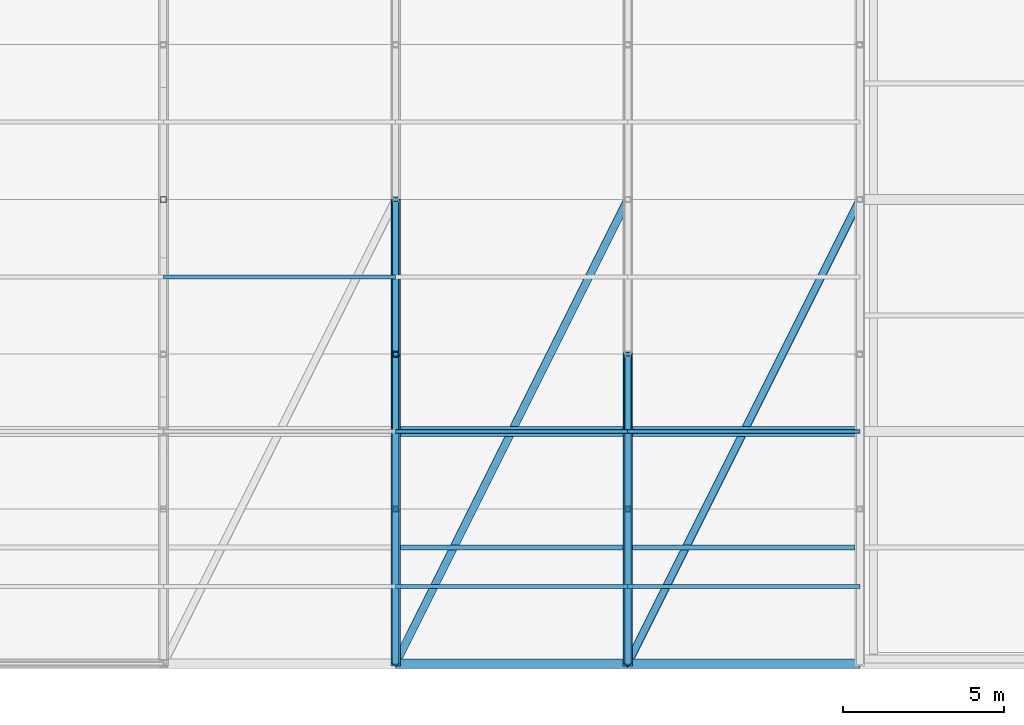
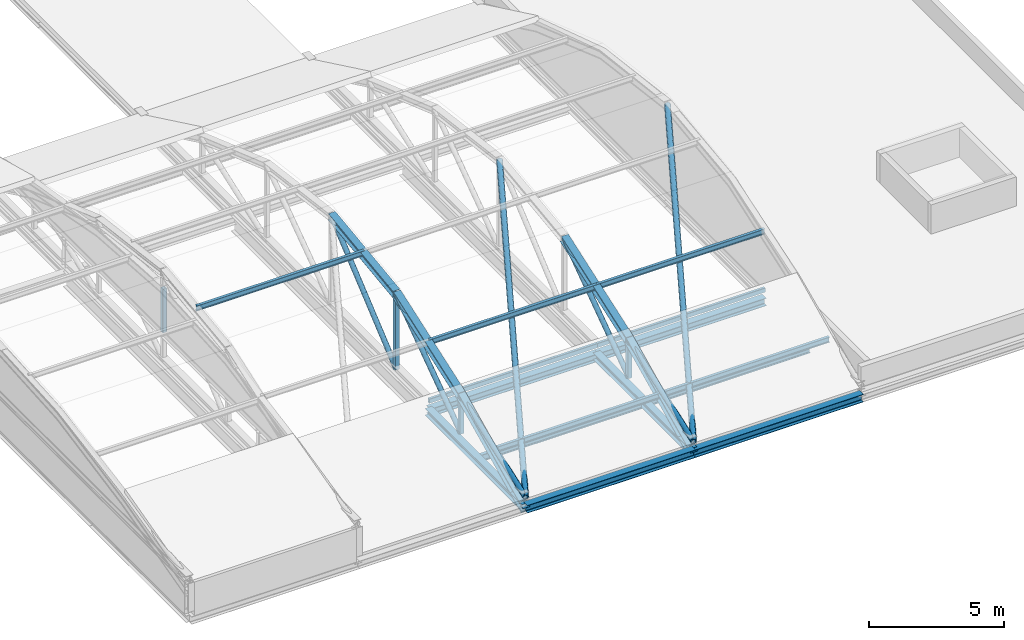
# One storey, part 19 of 103: 18 members, 13 beams.
"""IFC4 building model written with IfcOpenShell, lengths in metres."""

from ifc_helpers import new_model, si_unit, direction, frame, origin, origin_2d, place, context, subcontext, project, spatial, hollow_rectangle, hollow_circle, i_section, extrude, material, material_profile, profile_set, type_object, element, save


model = new_model("IFC4")

# Units and contexts
model_context = context("Model", 3, precision=1e-05, world=origin(), true_north=direction((0.0, 1.0)))
body_context = subcontext(model_context, "Body", "Model", "MODEL_VIEW")
ifc_project = project(units=[si_unit("LENGTHUNIT", "METRE"), si_unit("AREAUNIT", "SQUARE_METRE"), si_unit("VOLUMEUNIT", "CUBIC_METRE"), si_unit("PLANEANGLEUNIT", "RADIAN"), si_unit("MASSUNIT", "GRAM", prefix="KILO")], contexts=[model_context])

# Site, building, storey
site_placement = place(None, origin())
site = spatial("IfcSite", under=ifc_project, at=site_placement, CompositionType="ELEMENT")
building_placement = place(site_placement, origin())
building = spatial("IfcBuilding", under=site, at=building_placement, Name="Zlatovets Crest Museum", CompositionType="ELEMENT")
storey_placement = place(building_placement, frame((0.0, 0.0, 12.89990234375)))
storey = spatial("IfcBuildingStorey", under=building, at=storey_placement, Name="L03", CompositionType="ELEMENT", Elevation=12.89990234375)

# Beams
ifc_material = material(Name="Structural steel S355J2", Category="steel")
ifc_material_profile_1 = material_profile(ifc_material, i_section(OverallWidth=0.300048828125, OverallDepth=0.35009765625, WebThickness=0.010009765625, FlangeThickness=0.017578125, FilletRadius=0.027099609375, at=origin_2d()), Name="HEA 360")
ifc_profile_set_1 = profile_set([ifc_material_profile_1], Name="Structural steel S355J2")
beam_type_1 = type_object("IfcBeamType", Name="Beam_B-03", PredefinedType="BEAM", material=ifc_profile_set_1)
beam_1_placement = place(storey_placement, frame((14.39990234375, 0.0, -0.39501953125), z_axis=(1.0, 0.0, 0.0), x_axis=(0.0, 1.0, 0.0)))
element("IfcBeam", 1, at=beam_1_placement, inside=storey, type_object=beam_type_1, Name="V3 L03 Primary Girder B-03", PredefinedType="BEAM", context=body_context, shape_type="SweptSolid", body=[
    extrude(i_section(OverallWidth=0.300048828125, OverallDepth=0.35009765625, WebThickness=0.010009765625, FlangeThickness=0.017578125, FilletRadius=0.027099609375, at=origin_2d()), origin(), (0.0, 0.0, 1.0), 7.2001953125),
])
beam_2_placement = place(storey_placement, frame((21.60009765625, 0.0, -0.39501953125), z_axis=(1.0, 0.0, 0.0), x_axis=(0.0, 1.0, 0.0)))
element("IfcBeam", 2, at=beam_2_placement, inside=storey, type_object=beam_type_1, Name="V3 L03 Primary Girder B-03", PredefinedType="BEAM", context=body_context, shape_type="SweptSolid", body=[
    extrude(i_section(OverallWidth=0.300048828125, OverallDepth=0.35009765625, WebThickness=0.010009765625, FlangeThickness=0.017578125, FilletRadius=0.027099609375, at=origin_2d()), origin(), (0.0, 0.0, 1.0), 7.199951171875),
])
beam_3_placement = place(storey_placement, frame((14.39990234375, 7.199951171875, -0.39501953125), z_axis=(1.0, 0.0, 0.0), x_axis=(0.0, 1.0, 0.0)))
element("IfcBeam", 3, at=beam_3_placement, inside=storey, type_object=beam_type_1, Name="V3 L03 Primary Girder B-03", PredefinedType="BEAM", context=body_context, shape_type="SweptSolid", body=[
    extrude(i_section(OverallWidth=0.300048828125, OverallDepth=0.35009765625, WebThickness=0.010009765625, FlangeThickness=0.017578125, FilletRadius=0.027099609375, at=origin_2d()), origin(), (0.0, 0.0, 1.0), 7.2001953125),
])
beam_4_placement = place(storey_placement, frame((21.60009765625, 7.199951171875, -0.39501953125), z_axis=(1.0, 0.0, 0.0), x_axis=(0.0, 1.0, 0.0)))
element("IfcBeam", 4, at=beam_4_placement, inside=storey, type_object=beam_type_1, Name="V3 L03 Primary Girder B-03", PredefinedType="BEAM", context=body_context, shape_type="SweptSolid", body=[
    extrude(i_section(OverallWidth=0.300048828125, OverallDepth=0.35009765625, WebThickness=0.010009765625, FlangeThickness=0.017578125, FilletRadius=0.027099609375, at=origin_2d()), origin(), (0.0, 0.0, 1.0), 7.199951171875),
])
ifc_material_profile_2 = material_profile(ifc_material, i_section(OverallWidth=0.300048828125, OverallDepth=0.31005859375, WebThickness=0.009033203125, FlangeThickness=0.015380859375, FilletRadius=0.027099609375, at=origin_2d()), Name="HEA 320")
ifc_profile_set_2 = profile_set([ifc_material_profile_2], Name="Structural steel S355J2")
beam_type_2 = type_object("IfcBeamType", Name="Beam_B-04", PredefinedType="BEAM", material=ifc_profile_set_2)
for number, where, z_axis, x_axis, name in (
    (5, (14.39990234375, 0.0, -0.375), (0.0, 1.0, 0.0), (-1.0, 0.0, 0.0), "V3 L03 Grid Beam B-04"),
    (6, (21.60009765625, 0.0, -0.375), (0.0, 1.0, 0.0), (-1.0, 0.0, 0.0), "V3 L03 Grid Beam B-04"),
):
    element("IfcBeam", number, at=place(storey_placement, frame(where, z_axis=z_axis, x_axis=x_axis)), inside=storey, type_object=beam_type_2, Name=name, PredefinedType="BEAM", context=body_context, shape_type="SweptSolid", body=[
        extrude(i_section(OverallWidth=0.300048828125, OverallDepth=0.31005859375, WebThickness=0.009033203125, FlangeThickness=0.015380859375, FilletRadius=0.027099609375, at=origin_2d()), origin(), (0.0, 0.0, 1.0), 7.199951171875),
    ])
ifc_material_profile_3 = material_profile(ifc_material, i_section(OverallWidth=0.14990234375, OverallDepth=0.300048828125, WebThickness=0.007080078125, FlangeThickness=0.0107421875, FilletRadius=0.014892578125, at=origin_2d()), Name="IPE 300")
ifc_profile_set_3 = profile_set([ifc_material_profile_3], Name="Structural steel S355J2")
beam_type_3 = type_object("IfcBeamType", Name="Beam_J-02", PredefinedType="JOIST", material=ifc_profile_set_3)
for number, where, z_axis, x_axis, name in (
    (7, (14.550048828125, 3.60009765625, -0.369873046875), (1.0, 0.0, 0.0), (0.0, 1.0, 0.0), "V3 L03 Composite Joist J-02"),
    (8, (21.75, 3.60009765625, -0.369873046875), (1.0, 0.0, 0.0), (0.0, 1.0, 0.0), "V3 L03 Composite Joist J-02"),
):
    element("IfcBeam", number, at=place(storey_placement, frame(where, z_axis=z_axis, x_axis=x_axis)), inside=storey, type_object=beam_type_3, Name=name, PredefinedType="JOIST", context=body_context, shape_type="SweptSolid", body=[
        extrude(i_section(OverallWidth=0.14990234375, OverallDepth=0.300048828125, WebThickness=0.007080078125, FlangeThickness=0.0107421875, FilletRadius=0.014892578125, at=origin_2d()), origin(), (0.0, 0.0, 1.0), 6.89990234375),
    ])
ifc_material_profile_4 = material_profile(ifc_material, i_section(OverallWidth=0.1201171875, OverallDepth=0.239990234375, WebThickness=0.006103515625, FlangeThickness=0.009765625, FilletRadius=0.014892578125, at=origin_2d()), Name="IPE 240")
ifc_profile_set_4 = profile_set([ifc_material_profile_4], Name="Structural steel S355J2")
beam_type_4 = type_object("IfcBeamType", Name="Beam_PR-01", PredefinedType="BEAM", material=ifc_profile_set_4)
beam_5_placement = place(storey_placement, frame((7.199951171875, 12.0, 3.89208984375), z_axis=(1.0, 0.0, 0.0), x_axis=(0.0, 1.0, 0.0)))
element("IfcBeam", 9, at=beam_5_placement, inside=storey, type_object=beam_type_4, Name="V3 Barrel Vault Longitudinal Purlin", PredefinedType="BEAM", context=body_context, shape_type="SweptSolid", body=[
    extrude(i_section(OverallWidth=0.1201171875, OverallDepth=0.239990234375, WebThickness=0.006103515625, FlangeThickness=0.009765625, FilletRadius=0.014892578125, at=origin_2d()), origin(), (0.0, 0.0, 1.0), 7.199951171875),
])
for number, where, z_axis, x_axis, name in (
    (10, (14.39990234375, 2.39990234375, 0.75), (1.0, 0.0, 0.0), (0.0, 1.0, 0.0), "V3 Barrel Vault Longitudinal Purlin"),
    (11, (14.39990234375, 7.199951171875, 2.741943359375), (1.0, 0.0, 0.0), (0.0, 1.0, 0.0), "V3 Barrel Vault Longitudinal Purlin"),
):
    element("IfcBeam", number, at=place(storey_placement, frame(where, z_axis=z_axis, x_axis=x_axis)), inside=storey, type_object=beam_type_4, Name=name, PredefinedType="BEAM", context=body_context, shape_type="SweptSolid", body=[
        extrude(i_section(OverallWidth=0.1201171875, OverallDepth=0.239990234375, WebThickness=0.006103515625, FlangeThickness=0.009765625, FilletRadius=0.014892578125, at=origin_2d()), origin(), (0.0, 0.0, 1.0), 7.2001953125),
    ])
for number, where, z_axis, x_axis, name in (
    (12, (21.60009765625, 2.39990234375, 0.75), (1.0, 0.0, 0.0), (0.0, 1.0, 0.0), "V3 Barrel Vault Longitudinal Purlin"),
    (13, (21.60009765625, 7.199951171875, 2.741943359375), (1.0, 0.0, 0.0), (0.0, 1.0, 0.0), "V3 Barrel Vault Longitudinal Purlin"),
):
    element("IfcBeam", number, at=place(storey_placement, frame(where, z_axis=z_axis, x_axis=x_axis)), inside=storey, type_object=beam_type_4, Name=name, PredefinedType="BEAM", context=body_context, shape_type="SweptSolid", body=[
        extrude(i_section(OverallWidth=0.1201171875, OverallDepth=0.239990234375, WebThickness=0.006103515625, FlangeThickness=0.009765625, FilletRadius=0.014892578125, at=origin_2d()), origin(), (0.0, 0.0, 1.0), 7.199951171875),
    ])

# Members
ifc_material_profile_5 = material_profile(ifc_material, i_section(OverallWidth=0.300048828125, OverallDepth=0.31005859375, WebThickness=0.009033203125, FlangeThickness=0.015380859375, FilletRadius=0.027099609375, at=origin_2d()), Name="HEA 320")
ifc_profile_set_5 = profile_set([ifc_material_profile_5], Name="Structural steel S355J2")
member_type_1 = type_object("IfcMemberType", Name="Member_TM-02", PredefinedType="RAFTER", material=ifc_profile_set_5)
member_1_placement = place(storey_placement, frame((14.39990234375, 0.0, -0.5), z_axis=(0.0, 0.901814166789, 0.432124066188), x_axis=(-1.0, 0.0, 0.0)))
element("IfcMember", 14, at=member_1_placement, inside=storey, type_object=member_type_1, Name="V3 Art Nouveau Curved Vault Rib", PredefinedType="RAFTER", context=body_context, shape_type="SweptSolid", body=[
    extrude(i_section(OverallWidth=0.300048828125, OverallDepth=0.31005859375, WebThickness=0.009033203125, FlangeThickness=0.015380859375, FilletRadius=0.027099609375, at=origin_2d()), origin(), (0.0, 0.0, 1.0), 5.32275390625),
])
member_2_placement = place(storey_placement, frame((14.39990234375, 4.800048828125, 1.800048828125), z_axis=(0.0, 0.943623917832, 0.331019488393), x_axis=(-1.0, 0.0, 0.0)))
element("IfcMember", 15, at=member_2_placement, inside=storey, type_object=member_type_1, Name="V3 Art Nouveau Curved Vault Rib", PredefinedType="RAFTER", context=body_context, shape_type="SweptSolid", body=[
    extrude(i_section(OverallWidth=0.300048828125, OverallDepth=0.31005859375, WebThickness=0.009033203125, FlangeThickness=0.015380859375, FilletRadius=0.027099609375, at=origin_2d()), origin(), (0.0, 0.0, 1.0), 5.0869140625),
])
member_3_placement = place(storey_placement, frame((14.39990234375, 9.60009765625, 3.48388671875), z_axis=(0.0, 0.991859459137, 0.127337399535), x_axis=(-1.0, 0.0, 0.0)))
element("IfcMember", 16, at=member_3_placement, inside=storey, type_object=member_type_1, Name="V3 Art Nouveau Curved Vault Rib", PredefinedType="RAFTER", context=body_context, shape_type="SweptSolid", body=[
    extrude(i_section(OverallWidth=0.300048828125, OverallDepth=0.31005859375, WebThickness=0.009033203125, FlangeThickness=0.015380859375, FilletRadius=0.027099609375, at=origin_2d()), origin(), (0.0, 0.0, 1.0), 4.839111328125),
])
member_4_placement = place(storey_placement, frame((21.60009765625, 0.0, -0.5), z_axis=(0.0, 0.901814166789, 0.432124066188), x_axis=(-1.0, 0.0, 0.0)))
element("IfcMember", 17, at=member_4_placement, inside=storey, type_object=member_type_1, Name="V3 Art Nouveau Curved Vault Rib", PredefinedType="RAFTER", context=body_context, shape_type="SweptSolid", body=[
    extrude(i_section(OverallWidth=0.300048828125, OverallDepth=0.31005859375, WebThickness=0.009033203125, FlangeThickness=0.015380859375, FilletRadius=0.027099609375, at=origin_2d()), origin(), (0.0, 0.0, 1.0), 5.32275390625),
])
member_5_placement = place(storey_placement, frame((21.60009765625, 4.800048828125, 1.800048828125), z_axis=(0.0, 0.943623917832, 0.331019488393), x_axis=(-1.0, 0.0, 0.0)))
element("IfcMember", 18, at=member_5_placement, inside=storey, type_object=member_type_1, Name="V3 Art Nouveau Curved Vault Rib", PredefinedType="RAFTER", context=body_context, shape_type="SweptSolid", body=[
    extrude(i_section(OverallWidth=0.300048828125, OverallDepth=0.31005859375, WebThickness=0.009033203125, FlangeThickness=0.015380859375, FilletRadius=0.027099609375, at=origin_2d()), origin(), (0.0, 0.0, 1.0), 5.0869140625),
])
ifc_material_profile_6 = material_profile(ifc_material, hollow_rectangle(XDim=0.179931640625, YDim=0.179931640625, WallThickness=0.010009765625, InnerFilletRadius=0.010009765625, OuterFilletRadius=0.02001953125, at=origin_2d()), Name="SHS 180x180x10.0")
ifc_profile_set_6 = profile_set([ifc_material_profile_6], Name="Structural steel S355J2")
member_type_2 = type_object("IfcMemberType", Name="Member_TM-04", PredefinedType="STRUT", material=ifc_profile_set_6)
member_6_placement = place(storey_placement, frame((14.39990234375, 4.800048828125, 0.080078125), z_axis=(0.0, 0.0, 1.0), x_axis=(1.0, 0.0, 0.0)))
element("IfcMember", 19, at=member_6_placement, inside=storey, type_object=member_type_2, Name="V3 Barrel Vault Web Strut", PredefinedType="STRUT", context=body_context, shape_type="SweptSolid", body=[
    extrude(hollow_rectangle(XDim=0.179931640625, YDim=0.179931640625, WallThickness=0.010009765625, InnerFilletRadius=0.010009765625, OuterFilletRadius=0.02001953125, at=origin_2d()), origin(), (0.0, 0.0, 1.0), 1.719970703125),
])
member_7_placement = place(storey_placement, frame((14.39990234375, 9.60009765625, 0.080078125), z_axis=(0.0, 0.0, 1.0), x_axis=(1.0, 0.0, 0.0)))
element("IfcMember", 20, at=member_7_placement, inside=storey, type_object=member_type_2, Name="V3 Barrel Vault Web Strut", PredefinedType="STRUT", context=body_context, shape_type="SweptSolid", body=[
    extrude(hollow_rectangle(XDim=0.179931640625, YDim=0.179931640625, WallThickness=0.010009765625, InnerFilletRadius=0.010009765625, OuterFilletRadius=0.02001953125, at=origin_2d()), origin(), (0.0, 0.0, 1.0), 3.40380859375),
])
member_8_placement = place(storey_placement, frame((21.60009765625, 4.800048828125, 0.080078125), z_axis=(0.0, 0.0, 1.0), x_axis=(1.0, 0.0, 0.0)))
element("IfcMember", 21, at=member_8_placement, inside=storey, type_object=member_type_2, Name="V3 Barrel Vault Web Strut", PredefinedType="STRUT", context=body_context, shape_type="SweptSolid", body=[
    extrude(hollow_rectangle(XDim=0.179931640625, YDim=0.179931640625, WallThickness=0.010009765625, InnerFilletRadius=0.010009765625, OuterFilletRadius=0.02001953125, at=origin_2d()), origin(), (0.0, 0.0, 1.0), 1.719970703125),
])
member_9_placement = place(storey_placement, frame((7.199951171875, 14.39990234375, 1.380126953125), z_axis=(0.0, 0.0, 1.0), x_axis=(1.0, 0.0, 0.0)))
element("IfcMember", 22, at=member_9_placement, inside=storey, type_object=member_type_2, Name="V3 Barrel Vault Web Strut", PredefinedType="STRUT", context=body_context, shape_type="SweptSolid", body=[
    extrude(hollow_rectangle(XDim=0.179931640625, YDim=0.179931640625, WallThickness=0.010009765625, InnerFilletRadius=0.010009765625, OuterFilletRadius=0.02001953125, at=origin_2d()), origin(), (0.0, 0.0, 1.0), 1.969970703125),
])
ifc_material_profile_7 = material_profile(ifc_material, hollow_circle(Radius=0.109619140625, WallThickness=0.010009765625, at=origin_2d()), Name="CHS 219.1x10.0")
ifc_profile_set_7 = profile_set([ifc_material_profile_7], Name="Structural steel S355J2")
member_type_3 = type_object("IfcMemberType", Name="Member_TM-05", PredefinedType="BRACE", material=ifc_profile_set_7)
member_10_placement = place(storey_placement, frame((14.39990234375, 0.0, 0.080078125), z_axis=(0.0, 0.941389329103, 0.337321999061), x_axis=(-1.0, 0.0, 0.0)))
element("IfcMember", 23, at=member_10_placement, inside=storey, type_object=member_type_3, Name="V3 Barrel Vault Web Diagonal", PredefinedType="BRACE", context=body_context, shape_type="SweptSolid", body=[
    extrude(hollow_circle(Radius=0.109619140625, WallThickness=0.010009765625, at=origin_2d()), origin(), (0.0, 0.0, 1.0), 5.098876953125),
])
member_11_placement = place(storey_placement, frame((14.39990234375, 4.800048828125, 0.080078125), z_axis=(0.0, 0.815721856917, 0.578444337986), x_axis=(-1.0, 0.0, 0.0)))
element("IfcMember", 24, at=member_11_placement, inside=storey, type_object=member_type_3, Name="V3 Barrel Vault Web Diagonal", PredefinedType="BRACE", context=body_context, shape_type="SweptSolid", body=[
    extrude(hollow_circle(Radius=0.109619140625, WallThickness=0.010009765625, at=origin_2d()), origin(), (0.0, 0.0, 1.0), 5.884521484375),
])
member_12_placement = place(storey_placement, frame((14.39990234375, 9.60009765625, 0.080078125), z_axis=(0.0, 0.76663357033, 0.642084861091), x_axis=(-1.0, 0.0, 0.0)))
element("IfcMember", 25, at=member_12_placement, inside=storey, type_object=member_type_3, Name="V3 Barrel Vault Web Diagonal", PredefinedType="BRACE", context=body_context, shape_type="SweptSolid", body=[
    extrude(hollow_circle(Radius=0.109619140625, WallThickness=0.010009765625, at=origin_2d()), origin(), (0.0, 0.0, 1.0), 6.260986328125),
])
member_13_placement = place(storey_placement, frame((21.60009765625, 0.0, 0.080078125), z_axis=(0.0, 0.941389329103, 0.337321999061), x_axis=(-1.0, 0.0, 0.0)))
element("IfcMember", 26, at=member_13_placement, inside=storey, type_object=member_type_3, Name="V3 Barrel Vault Web Diagonal", PredefinedType="BRACE", context=body_context, shape_type="SweptSolid", body=[
    extrude(hollow_circle(Radius=0.109619140625, WallThickness=0.010009765625, at=origin_2d()), origin(), (0.0, 0.0, 1.0), 5.098876953125),
])
member_14_placement = place(storey_placement, frame((21.60009765625, 4.800048828125, 0.080078125), z_axis=(0.0, 0.815721856917, 0.578444337986), x_axis=(-1.0, 0.0, 0.0)))
element("IfcMember", 27, at=member_14_placement, inside=storey, type_object=member_type_3, Name="V3 Barrel Vault Web Diagonal", PredefinedType="BRACE", context=body_context, shape_type="SweptSolid", body=[
    extrude(hollow_circle(Radius=0.109619140625, WallThickness=0.010009765625, at=origin_2d()), origin(), (0.0, 0.0, 1.0), 5.884521484375),
])
ifc_material_profile_8 = material_profile(ifc_material, hollow_circle(Radius=0.122314453125, WallThickness=0.012451171875, at=origin_2d()), Name="CHS 244.5x12.5")
ifc_profile_set_8 = profile_set([ifc_material_profile_8], Name="Structural steel S355J2")
member_type_4 = type_object("IfcMemberType", Name="Member_TM-09", PredefinedType="BRACE", material=ifc_profile_set_8)
for number, where, z_axis, x_axis, name in (
    (28, (14.39990234375, 0.0, 0.080078125), (0.433903757933, 0.867778090683, 0.242257536896), (-0.894421125195, 0.447225726904, 0.0), "Auditorium Vault Roof Plan Brace"),
    (29, (21.60009765625, 0.0, 0.080078125), (0.433891815203, 0.867783630406, 0.24225908342), (-0.894427191, 0.4472135955, 0.0), "Auditorium Vault Roof Plan Brace"),
):
    element("IfcMember", number, at=place(storey_placement, frame(where, z_axis=z_axis, x_axis=x_axis)), inside=storey, type_object=member_type_4, Name=name, PredefinedType="BRACE", context=body_context, shape_type="SweptSolid", body=[
        extrude(hollow_circle(Radius=0.122314453125, WallThickness=0.012451171875, at=origin_2d()), origin(), (0.0, 0.0, 1.0), 16.593994140625),
    ])
ifc_material_profile_9 = material_profile(ifc_material, hollow_rectangle(XDim=0.1201171875, YDim=0.199951171875, WallThickness=0.008056640625, InnerFilletRadius=0.008056640625, OuterFilletRadius=0.01611328125, at=origin_2d()), Name="RHS 120x200x8.0")
ifc_profile_set_9 = profile_set([ifc_material_profile_9], Name="Structural steel S355J2")
member_type_5 = type_object("IfcMemberType", Name="Member_TM-12", PredefinedType="CHORD", material=ifc_profile_set_9)
member_15_placement = place(storey_placement, frame((14.39990234375, 7.199951171875, 0.080078125), z_axis=(1.0, 0.0, 0.0), x_axis=(0.0, 1.0, 0.0)))
element("IfcMember", 30, at=member_15_placement, inside=storey, type_object=member_type_5, Name="Auditorium Vault Longitudinal Tie", PredefinedType="CHORD", context=body_context, shape_type="SweptSolid", body=[
    extrude(hollow_rectangle(XDim=0.1201171875, YDim=0.199951171875, WallThickness=0.008056640625, InnerFilletRadius=0.008056640625, OuterFilletRadius=0.01611328125, at=origin_2d()), origin(), (0.0, 0.0, 1.0), 7.2001953125),
])
member_16_placement = place(storey_placement, frame((21.60009765625, 7.199951171875, 0.080078125), z_axis=(1.0, 0.0, 0.0), x_axis=(0.0, 1.0, 0.0)))
element("IfcMember", 31, at=member_16_placement, inside=storey, type_object=member_type_5, Name="Auditorium Vault Longitudinal Tie", PredefinedType="CHORD", context=body_context, shape_type="SweptSolid", body=[
    extrude(hollow_rectangle(XDim=0.1201171875, YDim=0.199951171875, WallThickness=0.008056640625, InnerFilletRadius=0.008056640625, OuterFilletRadius=0.01611328125, at=origin_2d()), origin(), (0.0, 0.0, 1.0), 7.199951171875),
])

save(model, "model.ifc")
